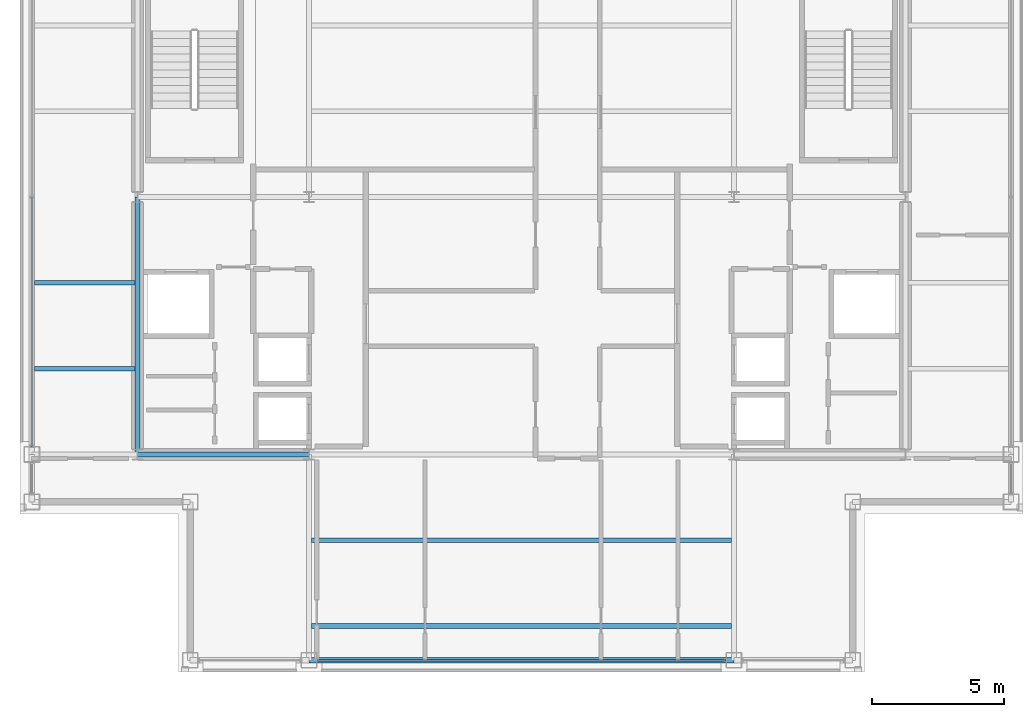
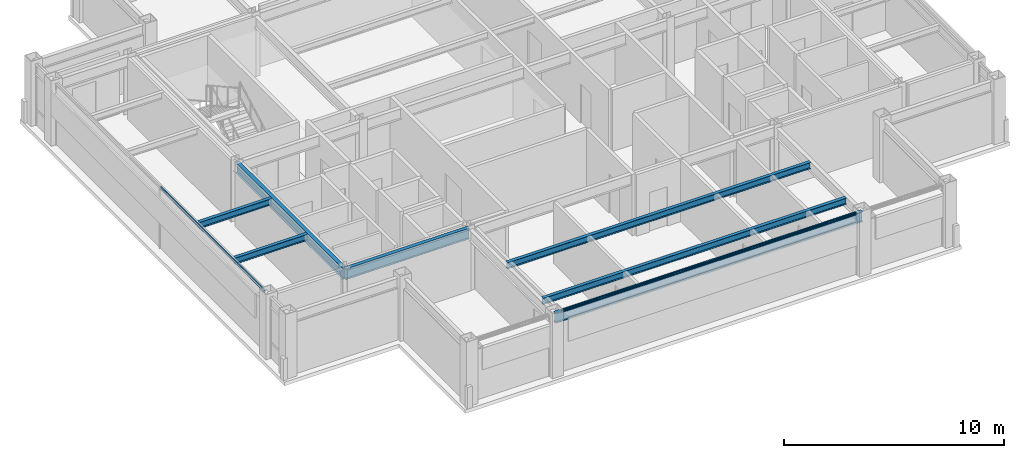
# One storey, part 3 of 20: 7 beams, 2 members, 2 elements without a shape of their own.
"""IFC4 building model written with IfcOpenShell, lengths in metres."""

from ifc_helpers import new_model, si_unit, direction, frame, origin, origin_2d, place, context, subcontext, project, spatial, hollow_rectangle, i_section, extrude, material, layer, layer_set, material_profile, profile_set, type_object, element, aggregate, save


model = new_model("IFC4")

# Units and contexts
model_context = context("Model", 3, precision=1e-05, world=origin(), true_north=direction((0.0, 1.0)))
body_context = subcontext(model_context, "Body", "Model", "MODEL_VIEW")
ifc_project = project(units=[si_unit("LENGTHUNIT", "METRE"), si_unit("AREAUNIT", "SQUARE_METRE"), si_unit("VOLUMEUNIT", "CUBIC_METRE"), si_unit("PLANEANGLEUNIT", "RADIAN"), si_unit("MASSUNIT", "GRAM", prefix="KILO")], contexts=[model_context])

# Site, building, storey
site_placement = place(None, origin())
site = spatial("IfcSite", under=ifc_project, at=site_placement, CompositionType="ELEMENT")
building_placement = place(site_placement, origin())
building = spatial("IfcBuilding", under=site, at=building_placement, Name="Brelmoor Portico Tower", CompositionType="ELEMENT")
storey_placement = place(building_placement, frame((0.0, 0.0, 272.39990234375)))
storey = spatial("IfcBuildingStorey", under=building, at=storey_placement, Name="L72", CompositionType="ELEMENT", Elevation=272.39990234375)

# Beams
ifc_material_1 = material(Name="Steel Q355B", Category="steel")
ifc_material_profile_1 = material_profile(ifc_material_1, i_section(OverallWidth=0.175048828125, OverallDepth=0.35009765625, WebThickness=0.007080078125, FlangeThickness=0.010986328125, at=origin_2d()), Name="HN 350x175x7x11")
ifc_profile_set_1 = profile_set([ifc_material_profile_1], Name="Steel Q355B")
beam_type_1 = type_object("IfcBeamType", Name="BM-JS-350", PredefinedType="JOIST", material=ifc_profile_set_1)
for number, where, z_axis, x_axis, name in (
    (1, (-7.949951171875, -16.25, 3.22509765625), (1.0, 0.0, 0.0), (0.0, 1.0, 0.0), "L72 Secondary Composite Joist JS-C01"),
    (2, (-7.949951171875, -13.0, 3.22509765625), (1.0, 0.0, 0.0), (0.0, 1.0, 0.0), "L72 Secondary Composite Joist JS-C02"),
):
    element("IfcBeam", number, at=place(storey_placement, frame(where, z_axis=z_axis, x_axis=x_axis)), inside=storey, type_object=beam_type_1, Name=name, PredefinedType="JOIST", context=body_context, shape_type="SweptSolid", body=[
        extrude(i_section(OverallWidth=0.175048828125, OverallDepth=0.35009765625, WebThickness=0.007080078125, FlangeThickness=0.010986328125, at=origin_2d()), origin(), (0.0, 0.0, 1.0), 15.89990234375),
    ])
for number, where, z_axis, x_axis, name in (
    (3, (-18.449951171875, -6.5, 3.22509765625), (1.0, 0.0, 0.0), (0.0, 1.0, 0.0), "L72 Secondary Wing Joist JS-W07"),
    (4, (-18.449951171875, -3.25, 3.22509765625), (1.0, 0.0, 0.0), (0.0, 1.0, 0.0), "L72 Secondary Wing Joist JS-W08"),
):
    element("IfcBeam", number, at=place(storey_placement, frame(where, z_axis=z_axis, x_axis=x_axis)), inside=storey, type_object=beam_type_1, Name=name, PredefinedType="JOIST", context=body_context, shape_type="SweptSolid", body=[
        extrude(i_section(OverallWidth=0.175048828125, OverallDepth=0.35009765625, WebThickness=0.007080078125, FlangeThickness=0.010986328125, at=origin_2d()), origin(), (0.0, 0.0, 1.0), 3.800048828125),
    ])
ifc_material_profile_2 = material_profile(ifc_material_1, i_section(OverallWidth=0.199951171875, OverallDepth=0.60009765625, WebThickness=0.010986328125, FlangeThickness=0.01708984375, at=origin_2d()), Name="HN 600x200x11x17")
ifc_profile_set_2 = profile_set([ifc_material_profile_2], Name="Steel Q355B")
beam_type_2 = type_object("IfcBeamType", Name="BM-PG-600", PredefinedType="BEAM", material=ifc_profile_set_2)
beam_1_placement = place(storey_placement, frame((-14.550048828125, -9.75, 3.10009765625), z_axis=(0.0, 1.0, 0.0), x_axis=(-1.0, 0.0, 0.0)))
element("IfcBeam", 5, at=beam_1_placement, inside=storey, type_object=beam_type_2, Name="L72 Primary Floor Girder PG-01", PredefinedType="BEAM", context=body_context, shape_type="SweptSolid", body=[
    extrude(i_section(OverallWidth=0.199951171875, OverallDepth=0.60009765625, WebThickness=0.010986328125, FlangeThickness=0.01708984375, at=origin_2d()), origin(), (0.0, 0.0, 1.0), 9.75),
])
beam_2_placement = place(storey_placement, frame((-14.550048828125, -9.75, 3.10009765625), z_axis=(1.0, 0.0, 0.0), x_axis=(0.0, 1.0, 0.0)))
element("IfcBeam", 6, at=beam_2_placement, inside=storey, type_object=beam_type_2, Name="L72 Primary Floor Girder PG-12", PredefinedType="BEAM", context=body_context, shape_type="SweptSolid", body=[
    extrude(i_section(OverallWidth=0.199951171875, OverallDepth=0.60009765625, WebThickness=0.010986328125, FlangeThickness=0.01708984375, at=origin_2d()), origin(), (0.0, 0.0, 1.0), 6.5),
])
ifc_material_profile_3 = material_profile(ifc_material_1, i_section(OverallWidth=0.199951171875, OverallDepth=0.550048828125, WebThickness=0.010009765625, FlangeThickness=0.01611328125, at=origin_2d()), Name="HN 550x200x10x16")
ifc_profile_set_3 = profile_set([ifc_material_profile_3], Name="Steel Q355B")
beam_type_3 = type_object("IfcBeamType", Name="BM-SP-550", PredefinedType="SPANDREL", material=ifc_profile_set_3)
beam_3_placement = place(storey_placement, frame((-8.050048828125, -17.550048828125, 3.125), z_axis=(1.0, 0.0, 0.0), x_axis=(0.0, 1.0, 0.0)))
element("IfcBeam", 7, at=beam_3_placement, inside=storey, type_object=beam_type_3, Name="L72 Perimeter Spandrel Beam SP-02", PredefinedType="SPANDREL", context=body_context, shape_type="SweptSolid", body=[
    extrude(i_section(OverallWidth=0.199951171875, OverallDepth=0.550048828125, WebThickness=0.010009765625, FlangeThickness=0.01611328125, at=origin_2d()), origin(), (0.0, 0.0, 1.0), 16.10009765625),
])

# Curtain wall, member
ifc_material_2 = material(Name="Anodised Aluminium Alloy 6063-T6", Category="aluminium")
ifc_layer = layer(ifc_material_2, 0.179931640625)
ifc_layer_set = layer_set([ifc_layer], Name="Anodised Aluminium Alloy 6063-T6")
curtain_wall_type = type_object("IfcCurtainWallType", Name="CW-TOWER-Z4-XB", PredefinedType="NOTDEFINED", material=ifc_layer_set)
curtain_wall_1_placement = place(storey_placement, origin())
curtain_wall_1 = element("IfcCurtainWall", 8, at=curtain_wall_1_placement, inside=storey, type_object=curtain_wall_type, Name="L72 Curtain Wall CW-L72-01-2", PredefinedType="NOTDEFINED")
ifc_material_profile_4 = material_profile(ifc_material_2, hollow_rectangle(XDim=0.06005859375, YDim=0.125, WallThickness=0.00341796875, at=origin_2d()), Name="ALU TRANSOM 60x125")
ifc_profile_set_4 = profile_set([ifc_material_profile_4], Name="Anodised Aluminium Alloy 6063-T6")
member_type = type_object("IfcMemberType", Name="MB-CW-TRAN-125", PredefinedType="USERDEFINED", material=ifc_profile_set_4)
member_1_placement = place(storey_placement, frame((-7.739990234375, -17.550048828125, 3.337646484375), z_axis=(1.0, 0.0, 0.0), x_axis=(0.0, 1.0, 0.0)))
member_1 = element("IfcMember", 9, at=member_1_placement, type_object=member_type, Name="CW-L72-01-2 Transom 1-00", ObjectType="TRANSOM", PredefinedType="USERDEFINED", context=body_context, shape_type="SweptSolid", body=[
    extrude(hollow_rectangle(XDim=0.06005859375, YDim=0.125, WallThickness=0.00341796875, at=origin_2d()), origin(), (0.0, 0.0, 1.0), 15.47998046875),
])
aggregate(curtain_wall_1, [member_1])

curtain_wall_2_placement = place(storey_placement, origin())
curtain_wall_2 = element("IfcCurtainWall", 10, at=curtain_wall_2_placement, inside=storey, type_object=curtain_wall_type, Name="L72 Curtain Wall CW-L72-03-2", PredefinedType="NOTDEFINED")
member_2_placement = place(storey_placement, frame((-18.550048828125, -9.43994140625, 3.337646484375), z_axis=(0.0, 1.0, 0.0), x_axis=(-1.0, 0.0, 0.0)))
member_2 = element("IfcMember", 11, at=member_2_placement, type_object=member_type, Name="CW-L72-03-2 Transom 1-00", ObjectType="TRANSOM", PredefinedType="USERDEFINED", context=body_context, shape_type="SweptSolid", body=[
    extrude(hollow_rectangle(XDim=0.06005859375, YDim=0.125, WallThickness=0.00341796875, at=origin_2d()), origin(), (0.0, 0.0, 1.0), 9.43994140625),
])
aggregate(curtain_wall_2, [member_2])

save(model, "model.ifc")
